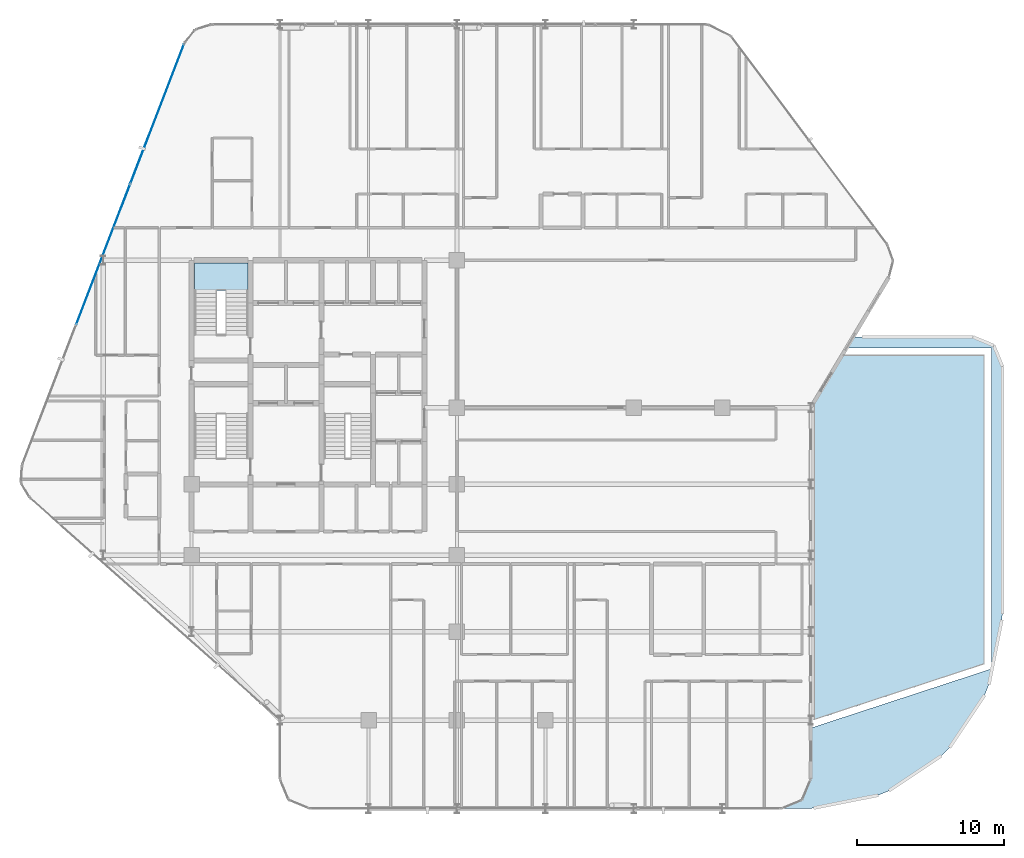
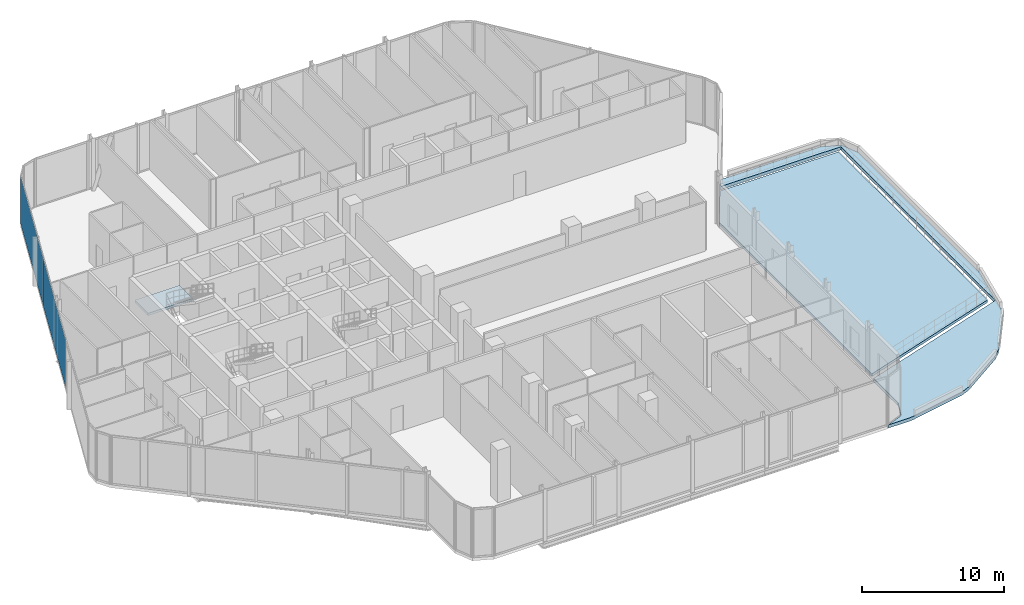
# One storey, part 20 of 30: 3 slabs, 2 plates, 2 elements without a shape of their own.
"""IFC4 building model written with IfcOpenShell, lengths in metres."""

from ifc_helpers import new_model, si_unit, direction, frame, origin, origin_2d, place, context, subcontext, project, spatial, polyline, rectangle, outline, extrude, material, layer, layer_set, type_object, element, aggregate, save


model = new_model("IFC4")

# Units and contexts
model_context = context("Model", 3, precision=1e-05, world=origin(), true_north=direction((0.0, 1.0)))
body_context = subcontext(model_context, "Body", "Model", "MODEL_VIEW")
ifc_project = project(units=[si_unit("LENGTHUNIT", "METRE"), si_unit("AREAUNIT", "SQUARE_METRE"), si_unit("VOLUMEUNIT", "CUBIC_METRE"), si_unit("PLANEANGLEUNIT", "RADIAN"), si_unit("MASSUNIT", "GRAM", prefix="KILO")], contexts=[model_context])

# Site, building, storey
site_placement = place(None, origin())
site = spatial("IfcSite", under=ifc_project, at=site_placement, CompositionType="ELEMENT")
building_placement = place(site_placement, origin())
building = spatial("IfcBuilding", under=site, at=building_placement, Name="Keshet Zoharim Tower", CompositionType="ELEMENT")
storey_placement = place(building_placement, frame((0.0, 0.0, 86.39990234375)))
storey = spatial("IfcBuildingStorey", under=building, at=storey_placement, Name="L20", CompositionType="ELEMENT", Elevation=86.39990234375)

# Curtain wall, plates
ifc_material_1 = material(Name="Aluminium 6063-T6", Category="aluminium")
ifc_layer_1 = layer(ifc_material_1, 0.159912109375)
ifc_layer_set_1 = layer_set([ifc_layer_1], Name="Aluminium 6063-T6")
curtain_wall_type = type_object("IfcCurtainWallType", Name="CW-SYS-03", PredefinedType="NOTDEFINED", material=ifc_layer_set_1)
curtain_wall_placement = place(storey_placement, origin())
curtain_wall = element("IfcCurtainWall", 1, at=curtain_wall_placement, inside=storey, type_object=curtain_wall_type, Name="L20 Unitised Curtain Wall 10", PredefinedType="NOTDEFINED")
ifc_material_2 = material(Name="Insulated Low-E Clear Glass", Category="glass")
ifc_layer_2 = layer(ifc_material_2, 0.035888671875)
ifc_layer_set_2 = layer_set([ifc_layer_2], Name="Insulated Low-E Clear Glass")
plate_type = type_object("IfcPlateType", Name="CWP-01", PredefinedType="CURTAIN_PANEL", material=ifc_layer_set_2)
plate_1_placement = place(storey_placement, frame((9.001953125, 38.305419921875, 0.070068359375), z_axis=(0.0, 0.0, 1.0), x_axis=(0.358990003907, 0.933341404361, 0.0)))
plate_1 = element("IfcPlate", 2, at=plate_1_placement, type_object=plate_type, Name="CW-03 panel 2.1", PredefinedType="CURTAIN_PANEL", context=body_context, shape_type="SweptSolid", body=[
    extrude(rectangle(XDim=10.153076171875, YDim=0.035888671875, at=origin_2d()), origin(), (0.0, 0.0, 1.0), 4.044921875),
])
plate_2_placement = place(storey_placement, frame((12.665771484375, 47.830810546875, 0.070068359375), z_axis=(0.0, 0.0, 1.0), x_axis=(0.358990003907, 0.933341404361, 0.0)))
plate_2 = element("IfcPlate", 3, at=plate_2_placement, type_object=plate_type, Name="CW-03 panel 3.1", PredefinedType="CURTAIN_PANEL", context=body_context, shape_type="SweptSolid", body=[
    extrude(rectangle(XDim=10.1181640625, YDim=0.035888671875, at=origin_2d()), origin(), (0.0, 0.0, 1.0), 4.044921875),
])
aggregate(curtain_wall, [plate_1, plate_2])

# Stair, slab
ifc_material_3 = material(Name="Concrete C50/60", Category="concrete")
stair_type = type_object("IfcStairType", Name="STR-EXIT-135", PredefinedType="HALF_TURN_STAIR", material=ifc_material_3)
stair_placement = place(storey_placement, origin())
stair = element("IfcStair", 4, at=stair_placement, inside=storey, type_object=stair_type, Name="L20 Enclosed Exit Stair ST-02", PredefinedType="HALF_TURN_STAIR")
ifc_layer_3 = layer(ifc_material_3, 0.199951171875)
ifc_layer_set_3 = layer_set([ifc_layer_3], Name="Concrete C50/60")
slab_type_1 = type_object("IfcSlabType", Name="SLB-LND-200", PredefinedType="LANDING", material=ifc_layer_set_3)
slab_1_placement = place(storey_placement, frame((0.0, 0.0, 2.050048828125)))
slab_1 = element("IfcSlab", 5, at=slab_1_placement, type_object=slab_type_1, Name="ST-02 landing 1", PredefinedType="LANDING", context=body_context, shape_type="SweptSolid", body=[
    extrude(outline(polyline([(15.179931640625, 35.840087890625), (18.820068359375, 35.840087890625), (18.820068359375, 37.719970703125), (15.179931640625, 37.719970703125), (15.179931640625, 35.840087890625)])), origin(), (0.0, 0.0, 1.0), 0.199951171875),
])
aggregate(stair, [slab_1])

# Slabs
ifc_layer_4 = layer(ifc_material_3, 0.280029296875)
ifc_layer_set_4 = layer_set([ifc_layer_4], Name="Concrete C50/60")
slab_type_2 = type_object("IfcSlabType", Name="SLB-SET-280", PredefinedType="ROOF", material=ifc_layer_set_4)
slab_2_placement = place(storey_placement, frame((0.0, 0.0, -0.27978515625)))
element("IfcSlab", 6, at=slab_2_placement, inside=storey, type_object=slab_type_2, Name="L20 Setback Weather Roof Slab 1", PredefinedType="ROOF", context=body_context, shape_type="SweptSolid", body=[
    extrude(outline(polyline([(68.0, 32.699951171875), (69.4140625, 32.114013671875), (70.0, 30.699951171875), (70.0, 13.89697265625), (69.9619140625, 13.507080078125), (69.087890625, 9.114990234375), (68.7890625, 8.39404296875), (66.4130859375, 4.837890625), (65.862060546875, 4.287109375), (62.305908203125, 1.910888671875), (61.5849609375, 1.612060546875), (57.193115234375, 0.738037109375), (56.802978515625, 0.699951171875), (55.06494140625, 0.699951171875), (56.43310546875, 1.26708984375), (57.02490234375, 2.695068359375), (57.02490234375, 6.174072265625), (69.2451171875, 10.177978515625), (69.2451171875, 31.945068359375), (59.4560546875, 31.945068359375), (59.908935546875, 32.699951171875), (68.0, 32.699951171875)])), origin(), (0.0, 0.0, 1.0), 0.27978515625),
])
ifc_layer_5 = layer(ifc_material_3, 0.219970703125)
ifc_layer_set_5 = layer_set([ifc_layer_5], Name="Concrete C50/60")
slab_type_3 = type_object("IfcSlabType", Name="SLB-TER-220", PredefinedType="ROOF", material=ifc_layer_set_5)
slab_3_placement = place(storey_placement, frame((0.0, 0.0, -0.219970703125)))
element("IfcSlab", 7, at=slab_3_placement, inside=storey, type_object=slab_type_3, Name="L20 East Tube-D Setback Sky Garden Slab", PredefinedType="ROOF", context=body_context, shape_type="SweptSolid", body=[
    extrude(outline(polyline([(68.800048828125, 31.5), (68.800048828125, 10.5), (57.199951171875, 6.699951171875), (57.199951171875, 28.23291015625), (59.159912109375, 31.5), (68.800048828125, 31.5)])), origin(), (0.0, 0.0, 1.0), 0.219970703125),
])

save(model, "model.ifc")
